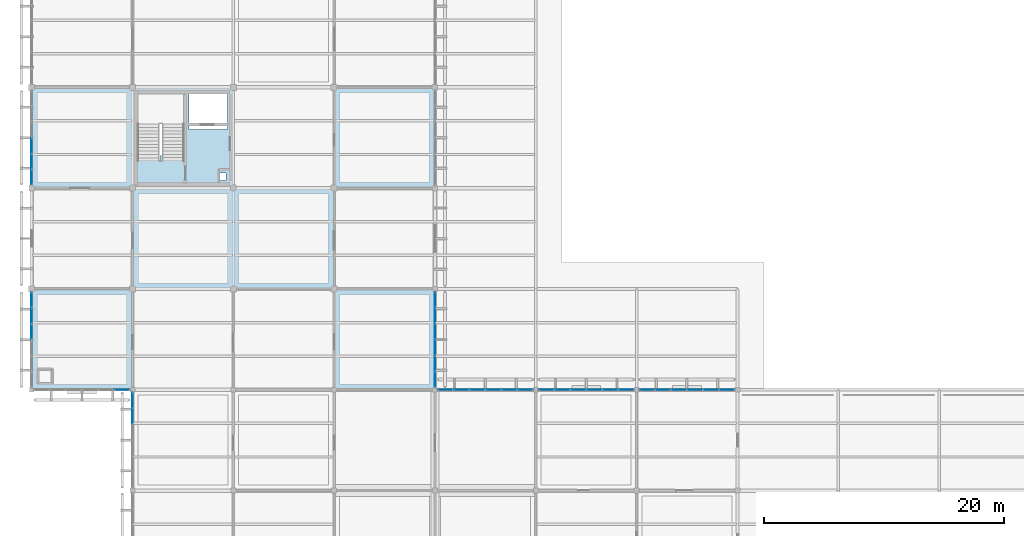
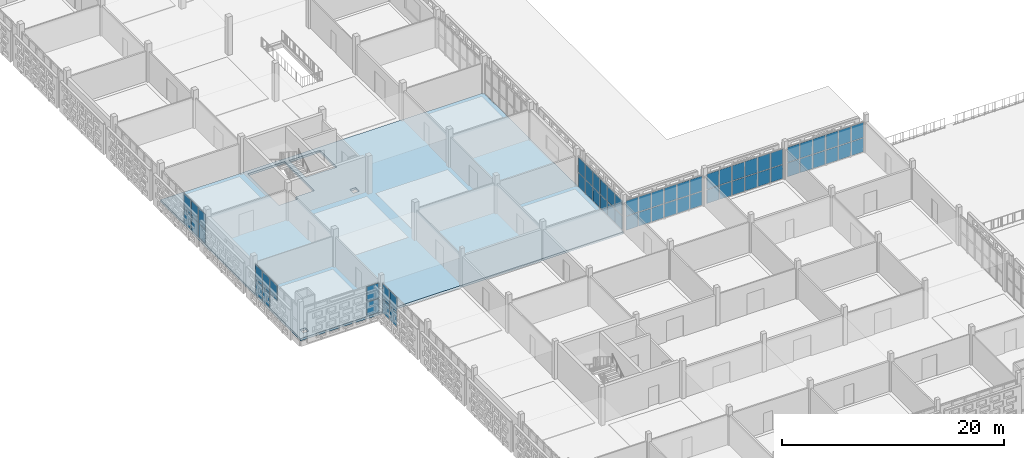
# One storey, part 78 of 166: 65 plates, 1 slab, 8 elements without a shape of their own.
"""IFC4 building model written with IfcOpenShell, lengths in metres."""

from ifc_helpers import new_model, si_unit, direction, frame, origin, origin_2d, place, context, subcontext, project, spatial, polyline, rectangle, outline, extrude, material, layer, layer_set, type_object, element, aggregate, save


model = new_model("IFC4")

# Units and contexts
model_context = context("Model", 3, precision=1e-05, world=origin(), true_north=direction((0.0, 1.0)))
body_context = subcontext(model_context, "Body", "Model", "MODEL_VIEW")
ifc_project = project(units=[si_unit("LENGTHUNIT", "METRE"), si_unit("AREAUNIT", "SQUARE_METRE"), si_unit("VOLUMEUNIT", "CUBIC_METRE"), si_unit("PLANEANGLEUNIT", "RADIAN"), si_unit("MASSUNIT", "GRAM", prefix="KILO")], contexts=[model_context])

# Site, building, storey
site_placement = place(None, origin())
site = spatial("IfcSite", under=ifc_project, at=site_placement, CompositionType="ELEMENT")
building_placement = place(site_placement, origin())
building = spatial("IfcBuilding", under=site, at=building_placement, Name="Varnapada Polytechnic", CompositionType="ELEMENT")
storey_placement = place(building_placement, frame((0.0, 0.0, 9.60009765625)))
storey = spatial("IfcBuildingStorey", under=building, at=storey_placement, Name="L02", CompositionType="ELEMENT", Elevation=9.60009765625)

# Curtain wall, plates
ifc_material_1 = material(Name="Double low-E laminated glass", Category="glass")
ifc_layer_1 = layer(ifc_material_1, 0.159912109375)
ifc_layer_set_1 = layer_set([ifc_layer_1], Name="Double low-E laminated glass")
curtain_wall_type_1 = type_object("IfcCurtainWallType", Name="Curtain Wall CW-01", PredefinedType="NOTDEFINED", material=ifc_layer_set_1)
curtain_wall_1_placement = place(storey_placement, origin())
curtain_wall_1 = element("IfcCurtainWall", 1, at=curtain_wall_1_placement, inside=storey, type_object=curtain_wall_type_1, Name="L02 unitised curtain wall CW-01 (154)", PredefinedType="NOTDEFINED")
ifc_layer_2 = layer(ifc_material_1, 0.028076171875)
ifc_layer_set_2 = layer_set([ifc_layer_2], Name="Double low-E laminated glass")
plate_type_1 = type_object("IfcPlateType", Name="Curtain Panel PNL-01", PredefinedType="CURTAIN_PANEL", material=ifc_layer_set_2)
plate_1_placement = place(storey_placement, frame((42.882568359375, 42.0, 0.06005859375), z_axis=(0.0, 0.0, 1.0), x_axis=(1.0, 0.0, 0.0)))
plate_1 = element("IfcPlate", 2, at=plate_1_placement, type_object=plate_type_1, Name="CW-01 panel 1.1", PredefinedType="CURTAIN_PANEL", context=body_context, shape_type="SweptSolid", body=[
    extrude(rectangle(XDim=1.2451171875, YDim=0.028076171875, at=origin_2d()), origin(), (0.0, 0.0, 1.0), 1.522705078125),
])
plate_2_placement = place(storey_placement, frame((42.882568359375, 42.0, 1.642578125), z_axis=(0.0, 0.0, 1.0), x_axis=(1.0, 0.0, 0.0)))
plate_2 = element("IfcPlate", 3, at=plate_2_placement, type_object=plate_type_1, Name="CW-01 panel 1.2", PredefinedType="CURTAIN_PANEL", context=body_context, shape_type="SweptSolid", body=[
    extrude(rectangle(XDim=1.2451171875, YDim=0.028076171875, at=origin_2d()), origin(), (0.0, 0.0, 1.0), 1.6572265625),
])
plate_3_placement = place(storey_placement, frame((44.202392578125, 42.0, 0.06005859375), z_axis=(0.0, 0.0, 1.0), x_axis=(1.0, 0.0, 0.0)))
plate_3 = element("IfcPlate", 4, at=plate_3_placement, type_object=plate_type_1, Name="CW-01 panel 2.1", PredefinedType="CURTAIN_PANEL", context=body_context, shape_type="SweptSolid", body=[
    extrude(rectangle(XDim=1.27490234375, YDim=0.028076171875, at=origin_2d()), origin(), (0.0, 0.0, 1.0), 1.522705078125),
])
plate_4_placement = place(storey_placement, frame((44.202392578125, 42.0, 1.642578125), z_axis=(0.0, 0.0, 1.0), x_axis=(1.0, 0.0, 0.0)))
plate_4 = element("IfcPlate", 5, at=plate_4_placement, type_object=plate_type_1, Name="CW-01 panel 2.2", PredefinedType="CURTAIN_PANEL", context=body_context, shape_type="SweptSolid", body=[
    extrude(rectangle(XDim=1.27490234375, YDim=0.028076171875, at=origin_2d()), origin(), (0.0, 0.0, 1.0), 1.6572265625),
])
plate_5_placement = place(storey_placement, frame((45.53759765625, 42.0, 0.06005859375), z_axis=(0.0, 0.0, 1.0), x_axis=(1.0, 0.0, 0.0)))
plate_5 = element("IfcPlate", 6, at=plate_5_placement, type_object=plate_type_1, Name="CW-01 panel 3.1", PredefinedType="CURTAIN_PANEL", context=body_context, shape_type="SweptSolid", body=[
    extrude(rectangle(XDim=1.27490234375, YDim=0.028076171875, at=origin_2d()), origin(), (0.0, 0.0, 1.0), 1.522705078125),
])
plate_6_placement = place(storey_placement, frame((45.53759765625, 42.0, 1.642578125), z_axis=(0.0, 0.0, 1.0), x_axis=(1.0, 0.0, 0.0)))
plate_6 = element("IfcPlate", 7, at=plate_6_placement, type_object=plate_type_1, Name="CW-01 panel 3.2", PredefinedType="CURTAIN_PANEL", context=body_context, shape_type="SweptSolid", body=[
    extrude(rectangle(XDim=1.27490234375, YDim=0.028076171875, at=origin_2d()), origin(), (0.0, 0.0, 1.0), 1.6572265625),
])
plate_7_placement = place(storey_placement, frame((46.87255859375, 42.0, 0.06005859375), z_axis=(0.0, 0.0, 1.0), x_axis=(1.0, 0.0, 0.0)))
plate_7 = element("IfcPlate", 8, at=plate_7_placement, type_object=plate_type_1, Name="CW-01 panel 4.1", PredefinedType="CURTAIN_PANEL", context=body_context, shape_type="SweptSolid", body=[
    extrude(rectangle(XDim=1.27490234375, YDim=0.028076171875, at=origin_2d()), origin(), (0.0, 0.0, 1.0), 1.522705078125),
])
plate_8_placement = place(storey_placement, frame((46.87255859375, 42.0, 1.642578125), z_axis=(0.0, 0.0, 1.0), x_axis=(1.0, 0.0, 0.0)))
plate_8 = element("IfcPlate", 9, at=plate_8_placement, type_object=plate_type_1, Name="CW-01 panel 4.2", PredefinedType="CURTAIN_PANEL", context=body_context, shape_type="SweptSolid", body=[
    extrude(rectangle(XDim=1.27490234375, YDim=0.028076171875, at=origin_2d()), origin(), (0.0, 0.0, 1.0), 1.6572265625),
])
plate_9_placement = place(storey_placement, frame((48.20751953125, 42.0, 0.06005859375), z_axis=(0.0, 0.0, 1.0), x_axis=(1.0, 0.0, 0.0)))
plate_9 = element("IfcPlate", 10, at=plate_9_placement, type_object=plate_type_1, Name="CW-01 panel 5.1", PredefinedType="CURTAIN_PANEL", context=body_context, shape_type="SweptSolid", body=[
    extrude(rectangle(XDim=1.27490234375, YDim=0.028076171875, at=origin_2d()), origin(), (0.0, 0.0, 1.0), 1.522705078125),
])
plate_10_placement = place(storey_placement, frame((48.20751953125, 42.0, 1.642578125), z_axis=(0.0, 0.0, 1.0), x_axis=(1.0, 0.0, 0.0)))
plate_10 = element("IfcPlate", 11, at=plate_10_placement, type_object=plate_type_1, Name="CW-01 panel 5.2", PredefinedType="CURTAIN_PANEL", context=body_context, shape_type="SweptSolid", body=[
    extrude(rectangle(XDim=1.27490234375, YDim=0.028076171875, at=origin_2d()), origin(), (0.0, 0.0, 1.0), 1.6572265625),
])
plate_11_placement = place(storey_placement, frame((49.527587890625, 42.0, 0.06005859375), z_axis=(0.0, 0.0, 1.0), x_axis=(1.0, 0.0, 0.0)))
plate_11 = element("IfcPlate", 12, at=plate_11_placement, type_object=plate_type_1, Name="CW-01 panel 6.1", PredefinedType="CURTAIN_PANEL", context=body_context, shape_type="SweptSolid", body=[
    extrude(rectangle(XDim=1.2451171875, YDim=0.028076171875, at=origin_2d()), origin(), (0.0, 0.0, 1.0), 1.522705078125),
])
plate_12_placement = place(storey_placement, frame((49.527587890625, 42.0, 1.642578125), z_axis=(0.0, 0.0, 1.0), x_axis=(1.0, 0.0, 0.0)))
plate_12 = element("IfcPlate", 13, at=plate_12_placement, type_object=plate_type_1, Name="CW-01 panel 6.2", PredefinedType="CURTAIN_PANEL", context=body_context, shape_type="SweptSolid", body=[
    extrude(rectangle(XDim=1.2451171875, YDim=0.028076171875, at=origin_2d()), origin(), (0.0, 0.0, 1.0), 1.6572265625),
])
aggregate(curtain_wall_1, [plate_1, plate_2, plate_3, plate_4, plate_5, plate_6, plate_7, plate_8, plate_9, plate_10, plate_11, plate_12])

curtain_wall_2_placement = place(storey_placement, origin())
curtain_wall_2 = element("IfcCurtainWall", 14, at=curtain_wall_2_placement, inside=storey, type_object=curtain_wall_type_1, Name="L02 unitised curtain wall CW-01 (157)", PredefinedType="NOTDEFINED")
plate_13_placement = place(storey_placement, frame((51.2724609375, 42.0, 0.06005859375), z_axis=(0.0, 0.0, 1.0), x_axis=(1.0, 0.0, 0.0)))
plate_13 = element("IfcPlate", 15, at=plate_13_placement, type_object=plate_type_1, Name="CW-01 panel 1.1", PredefinedType="CURTAIN_PANEL", context=body_context, shape_type="SweptSolid", body=[
    extrude(rectangle(XDim=1.2451171875, YDim=0.028076171875, at=origin_2d()), origin(), (0.0, 0.0, 1.0), 1.522705078125),
])
plate_14_placement = place(storey_placement, frame((51.2724609375, 42.0, 1.642578125), z_axis=(0.0, 0.0, 1.0), x_axis=(1.0, 0.0, 0.0)))
plate_14 = element("IfcPlate", 16, at=plate_14_placement, type_object=plate_type_1, Name="CW-01 panel 1.2", PredefinedType="CURTAIN_PANEL", context=body_context, shape_type="SweptSolid", body=[
    extrude(rectangle(XDim=1.2451171875, YDim=0.028076171875, at=origin_2d()), origin(), (0.0, 0.0, 1.0), 1.6572265625),
])
plate_15_placement = place(storey_placement, frame((52.592529296875, 42.0, 0.06005859375), z_axis=(0.0, 0.0, 1.0), x_axis=(1.0, 0.0, 0.0)))
plate_15 = element("IfcPlate", 17, at=plate_15_placement, type_object=plate_type_1, Name="CW-01 panel 2.1", PredefinedType="CURTAIN_PANEL", context=body_context, shape_type="SweptSolid", body=[
    extrude(rectangle(XDim=1.27490234375, YDim=0.028076171875, at=origin_2d()), origin(), (0.0, 0.0, 1.0), 1.522705078125),
])
plate_16_placement = place(storey_placement, frame((52.592529296875, 42.0, 1.642578125), z_axis=(0.0, 0.0, 1.0), x_axis=(1.0, 0.0, 0.0)))
plate_16 = element("IfcPlate", 18, at=plate_16_placement, type_object=plate_type_1, Name="CW-01 panel 2.2", PredefinedType="CURTAIN_PANEL", context=body_context, shape_type="SweptSolid", body=[
    extrude(rectangle(XDim=1.27490234375, YDim=0.028076171875, at=origin_2d()), origin(), (0.0, 0.0, 1.0), 1.6572265625),
])
plate_17_placement = place(storey_placement, frame((53.927490234375, 42.0, 0.06005859375), z_axis=(0.0, 0.0, 1.0), x_axis=(1.0, 0.0, 0.0)))
plate_17 = element("IfcPlate", 19, at=plate_17_placement, type_object=plate_type_1, Name="CW-01 panel 3.1", PredefinedType="CURTAIN_PANEL", context=body_context, shape_type="SweptSolid", body=[
    extrude(rectangle(XDim=1.27490234375, YDim=0.028076171875, at=origin_2d()), origin(), (0.0, 0.0, 1.0), 1.522705078125),
])
plate_18_placement = place(storey_placement, frame((53.927490234375, 42.0, 1.642578125), z_axis=(0.0, 0.0, 1.0), x_axis=(1.0, 0.0, 0.0)))
plate_18 = element("IfcPlate", 20, at=plate_18_placement, type_object=plate_type_1, Name="CW-01 panel 3.2", PredefinedType="CURTAIN_PANEL", context=body_context, shape_type="SweptSolid", body=[
    extrude(rectangle(XDim=1.27490234375, YDim=0.028076171875, at=origin_2d()), origin(), (0.0, 0.0, 1.0), 1.6572265625),
])
plate_19_placement = place(storey_placement, frame((55.262451171875, 42.0, 0.06005859375), z_axis=(0.0, 0.0, 1.0), x_axis=(1.0, 0.0, 0.0)))
plate_19 = element("IfcPlate", 21, at=plate_19_placement, type_object=plate_type_1, Name="CW-01 panel 4.1", PredefinedType="CURTAIN_PANEL", context=body_context, shape_type="SweptSolid", body=[
    extrude(rectangle(XDim=1.27490234375, YDim=0.028076171875, at=origin_2d()), origin(), (0.0, 0.0, 1.0), 1.522705078125),
])
plate_20_placement = place(storey_placement, frame((55.262451171875, 42.0, 1.642578125), z_axis=(0.0, 0.0, 1.0), x_axis=(1.0, 0.0, 0.0)))
plate_20 = element("IfcPlate", 22, at=plate_20_placement, type_object=plate_type_1, Name="CW-01 panel 4.2", PredefinedType="CURTAIN_PANEL", context=body_context, shape_type="SweptSolid", body=[
    extrude(rectangle(XDim=1.27490234375, YDim=0.028076171875, at=origin_2d()), origin(), (0.0, 0.0, 1.0), 1.6572265625),
])
plate_21_placement = place(storey_placement, frame((56.597412109375, 42.0, 0.06005859375), z_axis=(0.0, 0.0, 1.0), x_axis=(1.0, 0.0, 0.0)))
plate_21 = element("IfcPlate", 23, at=plate_21_placement, type_object=plate_type_1, Name="CW-01 panel 5.1", PredefinedType="CURTAIN_PANEL", context=body_context, shape_type="SweptSolid", body=[
    extrude(rectangle(XDim=1.27490234375, YDim=0.028076171875, at=origin_2d()), origin(), (0.0, 0.0, 1.0), 1.522705078125),
])
plate_22_placement = place(storey_placement, frame((56.597412109375, 42.0, 1.642578125), z_axis=(0.0, 0.0, 1.0), x_axis=(1.0, 0.0, 0.0)))
plate_22 = element("IfcPlate", 24, at=plate_22_placement, type_object=plate_type_1, Name="CW-01 panel 5.2", PredefinedType="CURTAIN_PANEL", context=body_context, shape_type="SweptSolid", body=[
    extrude(rectangle(XDim=1.27490234375, YDim=0.028076171875, at=origin_2d()), origin(), (0.0, 0.0, 1.0), 1.6572265625),
])
plate_23_placement = place(storey_placement, frame((57.91748046875, 42.0, 0.06005859375), z_axis=(0.0, 0.0, 1.0), x_axis=(1.0, 0.0, 0.0)))
plate_23 = element("IfcPlate", 25, at=plate_23_placement, type_object=plate_type_1, Name="CW-01 panel 6.1", PredefinedType="CURTAIN_PANEL", context=body_context, shape_type="SweptSolid", body=[
    extrude(rectangle(XDim=1.2451171875, YDim=0.028076171875, at=origin_2d()), origin(), (0.0, 0.0, 1.0), 1.522705078125),
])
plate_24_placement = place(storey_placement, frame((57.91748046875, 42.0, 1.642578125), z_axis=(0.0, 0.0, 1.0), x_axis=(1.0, 0.0, 0.0)))
plate_24 = element("IfcPlate", 26, at=plate_24_placement, type_object=plate_type_1, Name="CW-01 panel 6.2", PredefinedType="CURTAIN_PANEL", context=body_context, shape_type="SweptSolid", body=[
    extrude(rectangle(XDim=1.2451171875, YDim=0.028076171875, at=origin_2d()), origin(), (0.0, 0.0, 1.0), 1.6572265625),
])
aggregate(curtain_wall_2, [plate_13, plate_14, plate_15, plate_16, plate_17, plate_18, plate_19, plate_20, plate_21, plate_22, plate_23, plate_24])

ifc_layer_3 = layer(ifc_material_1, 0.179931640625)
ifc_layer_set_3 = layer_set([ifc_layer_3], Name="Double low-E laminated glass")
curtain_wall_type_2 = type_object("IfcCurtainWallType", Name="Curtain Wall CW-03", PredefinedType="NOTDEFINED", material=ifc_layer_set_3)
curtain_wall_3_placement = place(storey_placement, origin())
curtain_wall_3 = element("IfcCurtainWall", 27, at=curtain_wall_3_placement, inside=storey, type_object=curtain_wall_type_2, Name="L02 unitised curtain wall CW-03 (128)", PredefinedType="NOTDEFINED")
ifc_layer_4 = layer(ifc_material_1, 0.031982421875)
ifc_layer_set_4 = layer_set([ifc_layer_4], Name="Double low-E laminated glass")
plate_type_2 = type_object("IfcPlateType", Name="Curtain Panel PNL-02", PredefinedType="CURTAIN_PANEL", material=ifc_layer_set_4)
plate_25_placement = place(storey_placement, frame((7.516357421875, 42.0, 0.06494140625), z_axis=(0.0, 0.0, 1.0), x_axis=(-1.0, 0.0, 0.0)))
plate_25 = element("IfcPlate", 28, at=plate_25_placement, type_object=plate_type_2, Name="CW-03 panel 1.1", PredefinedType="CURTAIN_PANEL", context=body_context, shape_type="SweptSolid", body=[
    extrude(rectangle(XDim=1.237548828125, YDim=0.031982421875, at=origin_2d()), origin(), (0.0, 0.0, 1.0), 1.515380859375),
])
plate_26_placement = place(storey_placement, frame((7.516357421875, 42.0, 1.64501953125), z_axis=(0.0, 0.0, 1.0), x_axis=(-1.0, 0.0, 0.0)))
plate_26 = element("IfcPlate", 29, at=plate_26_placement, type_object=plate_type_2, Name="CW-03 panel 1.2", PredefinedType="CURTAIN_PANEL", context=body_context, shape_type="SweptSolid", body=[
    extrude(rectangle(XDim=1.237548828125, YDim=0.031982421875, at=origin_2d()), origin(), (0.0, 0.0, 1.0), 1.649658203125),
])
aggregate(curtain_wall_3, [plate_25, plate_26])

curtain_wall_4_placement = place(storey_placement, origin())
curtain_wall_4 = element("IfcCurtainWall", 30, at=curtain_wall_4_placement, inside=storey, type_object=curtain_wall_type_2, Name="L02 unitised curtain wall CW-03 (129)", PredefinedType="NOTDEFINED")
plate_27_placement = place(storey_placement, frame((0.0, 46.833251953125, 1.64501953125), z_axis=(0.0, 0.0, 1.0), x_axis=(0.0, 1.0, 0.0)))
plate_27 = element("IfcPlate", 31, at=plate_27_placement, type_object=plate_type_2, Name="CW-03 panel 4.2", PredefinedType="CURTAIN_PANEL", context=body_context, shape_type="SweptSolid", body=[
    extrude(rectangle(XDim=1.26171875, YDim=0.031982421875, at=origin_2d()), origin(), (0.0, 0.0, 1.0), 1.649658203125),
])
plate_28_placement = place(storey_placement, frame((0.0, 48.159912109375, 0.06494140625), z_axis=(0.0, 0.0, 1.0), x_axis=(0.0, 1.0, 0.0)))
plate_28 = element("IfcPlate", 32, at=plate_28_placement, type_object=plate_type_2, Name="CW-03 panel 5.1", PredefinedType="CURTAIN_PANEL", context=body_context, shape_type="SweptSolid", body=[
    extrude(rectangle(XDim=1.26171875, YDim=0.031982421875, at=origin_2d()), origin(), (0.0, 0.0, 1.0), 1.515380859375),
])
plate_29_placement = place(storey_placement, frame((0.0, 48.159912109375, 1.64501953125), z_axis=(0.0, 0.0, 1.0), x_axis=(0.0, 1.0, 0.0)))
plate_29 = element("IfcPlate", 33, at=plate_29_placement, type_object=plate_type_2, Name="CW-03 panel 5.2", PredefinedType="CURTAIN_PANEL", context=body_context, shape_type="SweptSolid", body=[
    extrude(rectangle(XDim=1.26171875, YDim=0.031982421875, at=origin_2d()), origin(), (0.0, 0.0, 1.0), 1.649658203125),
])
plate_30_placement = place(storey_placement, frame((0.0, 49.470458984375, 0.06494140625), z_axis=(0.0, 0.0, 1.0), x_axis=(0.0, 1.0, 0.0)))
plate_30 = element("IfcPlate", 34, at=plate_30_placement, type_object=plate_type_2, Name="CW-03 panel 6.1", PredefinedType="CURTAIN_PANEL", context=body_context, shape_type="SweptSolid", body=[
    extrude(rectangle(XDim=1.229248046875, YDim=0.031982421875, at=origin_2d()), origin(), (0.0, 0.0, 1.0), 1.515380859375),
])
plate_31_placement = place(storey_placement, frame((0.0, 49.470458984375, 1.64501953125), z_axis=(0.0, 0.0, 1.0), x_axis=(0.0, 1.0, 0.0)))
plate_31 = element("IfcPlate", 35, at=plate_31_placement, type_object=plate_type_2, Name="CW-03 panel 6.2", PredefinedType="CURTAIN_PANEL", context=body_context, shape_type="SweptSolid", body=[
    extrude(rectangle(XDim=1.229248046875, YDim=0.031982421875, at=origin_2d()), origin(), (0.0, 0.0, 1.0), 1.649658203125),
])
aggregate(curtain_wall_4, [plate_27, plate_28, plate_29, plate_30, plate_31])

curtain_wall_5_placement = place(storey_placement, origin())
curtain_wall_5 = element("IfcCurtainWall", 36, at=curtain_wall_5_placement, inside=storey, type_object=curtain_wall_type_2, Name="L02 unitised curtain wall CW-03 (130)", PredefinedType="NOTDEFINED")
plate_32_placement = place(storey_placement, frame((0.0, 59.71533203125, 0.06494140625), z_axis=(0.0, 0.0, 1.0), x_axis=(0.0, 1.0, 0.0)))
plate_32 = element("IfcPlate", 37, at=plate_32_placement, type_object=plate_type_2, Name="CW-03 panel 1.1", PredefinedType="CURTAIN_PANEL", context=body_context, shape_type="SweptSolid", body=[
    extrude(rectangle(XDim=1.220947265625, YDim=0.031982421875, at=origin_2d()), origin(), (0.0, 0.0, 1.0), 1.515380859375),
])
plate_33_placement = place(storey_placement, frame((0.0, 59.71533203125, 1.64501953125), z_axis=(0.0, 0.0, 1.0), x_axis=(0.0, 1.0, 0.0)))
plate_33 = element("IfcPlate", 38, at=plate_33_placement, type_object=plate_type_2, Name="CW-03 panel 1.2", PredefinedType="CURTAIN_PANEL", context=body_context, shape_type="SweptSolid", body=[
    extrude(rectangle(XDim=1.220947265625, YDim=0.031982421875, at=origin_2d()), origin(), (0.0, 0.0, 1.0), 1.649658203125),
])
plate_34_placement = place(storey_placement, frame((0.0, 61.017578125, 0.06494140625), z_axis=(0.0, 0.0, 1.0), x_axis=(0.0, 1.0, 0.0)))
plate_34 = element("IfcPlate", 39, at=plate_34_placement, type_object=plate_type_2, Name="CW-03 panel 2.1", PredefinedType="CURTAIN_PANEL", context=body_context, shape_type="SweptSolid", body=[
    extrude(rectangle(XDim=1.25341796875, YDim=0.031982421875, at=origin_2d()), origin(), (0.0, 0.0, 1.0), 1.515380859375),
])
plate_35_placement = place(storey_placement, frame((0.0, 61.017578125, 1.64501953125), z_axis=(0.0, 0.0, 1.0), x_axis=(0.0, 1.0, 0.0)))
plate_35 = element("IfcPlate", 40, at=plate_35_placement, type_object=plate_type_2, Name="CW-03 panel 2.2", PredefinedType="CURTAIN_PANEL", context=body_context, shape_type="SweptSolid", body=[
    extrude(rectangle(XDim=1.25341796875, YDim=0.031982421875, at=origin_2d()), origin(), (0.0, 0.0, 1.0), 1.649658203125),
])
plate_36_placement = place(storey_placement, frame((0.0, 62.3359375, 0.06494140625), z_axis=(0.0, 0.0, 1.0), x_axis=(0.0, 1.0, 0.0)))
plate_36 = element("IfcPlate", 41, at=plate_36_placement, type_object=plate_type_2, Name="CW-03 panel 3.1", PredefinedType="CURTAIN_PANEL", context=body_context, shape_type="SweptSolid", body=[
    extrude(rectangle(XDim=1.25341796875, YDim=0.031982421875, at=origin_2d()), origin(), (0.0, 0.0, 1.0), 1.515380859375),
])
plate_37_placement = place(storey_placement, frame((0.0, 62.3359375, 1.64501953125), z_axis=(0.0, 0.0, 1.0), x_axis=(0.0, 1.0, 0.0)))
plate_37 = element("IfcPlate", 42, at=plate_37_placement, type_object=plate_type_2, Name="CW-03 panel 3.2", PredefinedType="CURTAIN_PANEL", context=body_context, shape_type="SweptSolid", body=[
    extrude(rectangle(XDim=1.25341796875, YDim=0.031982421875, at=origin_2d()), origin(), (0.0, 0.0, 1.0), 1.649658203125),
])
aggregate(curtain_wall_5, [plate_32, plate_33, plate_34, plate_35, plate_36, plate_37])

curtain_wall_6_placement = place(storey_placement, origin())
curtain_wall_6 = element("IfcCurtainWall", 43, at=curtain_wall_6_placement, inside=storey, type_object=curtain_wall_type_2, Name="L02 unitised curtain wall CW-03 (140)", PredefinedType="NOTDEFINED")
plate_38_placement = place(storey_placement, frame((8.39990234375, 39.802490234375, 0.06494140625), z_axis=(0.0, 0.0, 1.0), x_axis=(0.0, 1.0, 0.0)))
plate_38 = element("IfcPlate", 44, at=plate_38_placement, type_object=plate_type_2, Name="CW-03 panel 5.1", PredefinedType="CURTAIN_PANEL", context=body_context, shape_type="SweptSolid", body=[
    extrude(rectangle(XDim=1.2666015625, YDim=0.031982421875, at=origin_2d()), origin(), (0.0, 0.0, 1.0), 1.515380859375),
])
plate_39_placement = place(storey_placement, frame((8.39990234375, 39.802490234375, 1.64501953125), z_axis=(0.0, 0.0, 1.0), x_axis=(0.0, 1.0, 0.0)))
plate_39 = element("IfcPlate", 45, at=plate_39_placement, type_object=plate_type_2, Name="CW-03 panel 5.2", PredefinedType="CURTAIN_PANEL", context=body_context, shape_type="SweptSolid", body=[
    extrude(rectangle(XDim=1.2666015625, YDim=0.031982421875, at=origin_2d()), origin(), (0.0, 0.0, 1.0), 1.649658203125),
])
plate_40_placement = place(storey_placement, frame((8.39990234375, 41.117919921875, 0.06494140625), z_axis=(0.0, 0.0, 1.0), x_axis=(0.0, 1.0, 0.0)))
plate_40 = element("IfcPlate", 46, at=plate_40_placement, type_object=plate_type_2, Name="CW-03 panel 6.1", PredefinedType="CURTAIN_PANEL", context=body_context, shape_type="SweptSolid", body=[
    extrude(rectangle(XDim=1.234130859375, YDim=0.031982421875, at=origin_2d()), origin(), (0.0, 0.0, 1.0), 1.515380859375),
])
plate_41_placement = place(storey_placement, frame((8.39990234375, 41.117919921875, 1.64501953125), z_axis=(0.0, 0.0, 1.0), x_axis=(0.0, 1.0, 0.0)))
plate_41 = element("IfcPlate", 47, at=plate_41_placement, type_object=plate_type_2, Name="CW-03 panel 6.2", PredefinedType="CURTAIN_PANEL", context=body_context, shape_type="SweptSolid", body=[
    extrude(rectangle(XDim=1.234130859375, YDim=0.031982421875, at=origin_2d()), origin(), (0.0, 0.0, 1.0), 1.649658203125),
])
aggregate(curtain_wall_6, [plate_38, plate_39, plate_40, plate_41])

curtain_wall_7_placement = place(storey_placement, origin())
curtain_wall_7 = element("IfcCurtainWall", 48, at=curtain_wall_7_placement, inside=storey, type_object=curtain_wall_type_2, Name="L02 unitised curtain wall CW-03 (143)", PredefinedType="NOTDEFINED")
plate_42_placement = place(storey_placement, frame((33.60009765625, 49.507080078125, 0.06494140625), z_axis=(0.0, 0.0, 1.0), x_axis=(0.0, -1.0, 0.0)))
plate_42 = element("IfcPlate", 49, at=plate_42_placement, type_object=plate_type_2, Name="CW-03 panel 1.1", PredefinedType="CURTAIN_PANEL", context=body_context, shape_type="SweptSolid", body=[
    extrude(rectangle(XDim=1.23583984375, YDim=0.031982421875, at=origin_2d()), origin(), (0.0, 0.0, 1.0), 1.515380859375),
])
plate_43_placement = place(storey_placement, frame((33.60009765625, 49.507080078125, 1.64501953125), z_axis=(0.0, 0.0, 1.0), x_axis=(0.0, -1.0, 0.0)))
plate_43 = element("IfcPlate", 50, at=plate_43_placement, type_object=plate_type_2, Name="CW-03 panel 1.2", PredefinedType="CURTAIN_PANEL", context=body_context, shape_type="SweptSolid", body=[
    extrude(rectangle(XDim=1.23583984375, YDim=0.031982421875, at=origin_2d()), origin(), (0.0, 0.0, 1.0), 1.649658203125),
])
plate_44_placement = place(storey_placement, frame((33.60009765625, 48.18994140625, 0.06494140625), z_axis=(0.0, 0.0, 1.0), x_axis=(0.0, -1.0, 0.0)))
plate_44 = element("IfcPlate", 51, at=plate_44_placement, type_object=plate_type_2, Name="CW-03 panel 2.1", PredefinedType="CURTAIN_PANEL", context=body_context, shape_type="SweptSolid", body=[
    extrude(rectangle(XDim=1.268310546875, YDim=0.031982421875, at=origin_2d()), origin(), (0.0, 0.0, 1.0), 1.515380859375),
])
plate_45_placement = place(storey_placement, frame((33.60009765625, 48.18994140625, 1.64501953125), z_axis=(0.0, 0.0, 1.0), x_axis=(0.0, -1.0, 0.0)))
plate_45 = element("IfcPlate", 52, at=plate_45_placement, type_object=plate_type_2, Name="CW-03 panel 2.2", PredefinedType="CURTAIN_PANEL", context=body_context, shape_type="SweptSolid", body=[
    extrude(rectangle(XDim=1.268310546875, YDim=0.031982421875, at=origin_2d()), origin(), (0.0, 0.0, 1.0), 1.649658203125),
])
plate_46_placement = place(storey_placement, frame((33.60009765625, 46.856689453125, 0.06494140625), z_axis=(0.0, 0.0, 1.0), x_axis=(0.0, -1.0, 0.0)))
plate_46 = element("IfcPlate", 53, at=plate_46_placement, type_object=plate_type_2, Name="CW-03 panel 3.1", PredefinedType="CURTAIN_PANEL", context=body_context, shape_type="SweptSolid", body=[
    extrude(rectangle(XDim=1.268310546875, YDim=0.031982421875, at=origin_2d()), origin(), (0.0, 0.0, 1.0), 1.515380859375),
])
plate_47_placement = place(storey_placement, frame((33.60009765625, 46.856689453125, 1.64501953125), z_axis=(0.0, 0.0, 1.0), x_axis=(0.0, -1.0, 0.0)))
plate_47 = element("IfcPlate", 54, at=plate_47_placement, type_object=plate_type_2, Name="CW-03 panel 3.2", PredefinedType="CURTAIN_PANEL", context=body_context, shape_type="SweptSolid", body=[
    extrude(rectangle(XDim=1.268310546875, YDim=0.031982421875, at=origin_2d()), origin(), (0.0, 0.0, 1.0), 1.649658203125),
])
plate_48_placement = place(storey_placement, frame((33.60009765625, 45.5234375, 0.06494140625), z_axis=(0.0, 0.0, 1.0), x_axis=(0.0, -1.0, 0.0)))
plate_48 = element("IfcPlate", 55, at=plate_48_placement, type_object=plate_type_2, Name="CW-03 panel 4.1", PredefinedType="CURTAIN_PANEL", context=body_context, shape_type="SweptSolid", body=[
    extrude(rectangle(XDim=1.268310546875, YDim=0.031982421875, at=origin_2d()), origin(), (0.0, 0.0, 1.0), 1.515380859375),
])
plate_49_placement = place(storey_placement, frame((33.60009765625, 45.5234375, 1.64501953125), z_axis=(0.0, 0.0, 1.0), x_axis=(0.0, -1.0, 0.0)))
plate_49 = element("IfcPlate", 56, at=plate_49_placement, type_object=plate_type_2, Name="CW-03 panel 4.2", PredefinedType="CURTAIN_PANEL", context=body_context, shape_type="SweptSolid", body=[
    extrude(rectangle(XDim=1.268310546875, YDim=0.031982421875, at=origin_2d()), origin(), (0.0, 0.0, 1.0), 1.649658203125),
])
plate_50_placement = place(storey_placement, frame((33.60009765625, 44.18994140625, 0.06494140625), z_axis=(0.0, 0.0, 1.0), x_axis=(0.0, -1.0, 0.0)))
plate_50 = element("IfcPlate", 57, at=plate_50_placement, type_object=plate_type_2, Name="CW-03 panel 5.1", PredefinedType="CURTAIN_PANEL", context=body_context, shape_type="SweptSolid", body=[
    extrude(rectangle(XDim=1.268310546875, YDim=0.031982421875, at=origin_2d()), origin(), (0.0, 0.0, 1.0), 1.515380859375),
])
plate_51_placement = place(storey_placement, frame((33.60009765625, 44.18994140625, 1.64501953125), z_axis=(0.0, 0.0, 1.0), x_axis=(0.0, -1.0, 0.0)))
plate_51 = element("IfcPlate", 58, at=plate_51_placement, type_object=plate_type_2, Name="CW-03 panel 5.2", PredefinedType="CURTAIN_PANEL", context=body_context, shape_type="SweptSolid", body=[
    extrude(rectangle(XDim=1.268310546875, YDim=0.031982421875, at=origin_2d()), origin(), (0.0, 0.0, 1.0), 1.649658203125),
])
plate_52_placement = place(storey_placement, frame((33.60009765625, 42.872802734375, 0.06494140625), z_axis=(0.0, 0.0, 1.0), x_axis=(0.0, -1.0, 0.0)))
plate_52 = element("IfcPlate", 59, at=plate_52_placement, type_object=plate_type_2, Name="CW-03 panel 6.1", PredefinedType="CURTAIN_PANEL", context=body_context, shape_type="SweptSolid", body=[
    extrude(rectangle(XDim=1.23583984375, YDim=0.031982421875, at=origin_2d()), origin(), (0.0, 0.0, 1.0), 1.515380859375),
])
plate_53_placement = place(storey_placement, frame((33.60009765625, 42.872802734375, 1.64501953125), z_axis=(0.0, 0.0, 1.0), x_axis=(0.0, -1.0, 0.0)))
plate_53 = element("IfcPlate", 60, at=plate_53_placement, type_object=plate_type_2, Name="CW-03 panel 6.2", PredefinedType="CURTAIN_PANEL", context=body_context, shape_type="SweptSolid", body=[
    extrude(rectangle(XDim=1.23583984375, YDim=0.031982421875, at=origin_2d()), origin(), (0.0, 0.0, 1.0), 1.649658203125),
])
aggregate(curtain_wall_7, [plate_42, plate_43, plate_44, plate_45, plate_46, plate_47, plate_48, plate_49, plate_50, plate_51, plate_52, plate_53])

curtain_wall_8_placement = place(storey_placement, origin())
curtain_wall_8 = element("IfcCurtainWall", 61, at=curtain_wall_8_placement, inside=storey, type_object=curtain_wall_type_2, Name="L02 unitised curtain wall CW-03 (152)", PredefinedType="NOTDEFINED")
plate_54_placement = place(storey_placement, frame((34.4736328125, 42.0, 0.06494140625), z_axis=(0.0, 0.0, 1.0), x_axis=(1.0, 0.0, 0.0)))
plate_54 = element("IfcPlate", 62, at=plate_54_placement, type_object=plate_type_2, Name="CW-03 panel 1.1", PredefinedType="CURTAIN_PANEL", context=body_context, shape_type="SweptSolid", body=[
    extrude(rectangle(XDim=1.237548828125, YDim=0.031982421875, at=origin_2d()), origin(), (0.0, 0.0, 1.0), 1.515380859375),
])
plate_55_placement = place(storey_placement, frame((34.4736328125, 42.0, 1.64501953125), z_axis=(0.0, 0.0, 1.0), x_axis=(1.0, 0.0, 0.0)))
plate_55 = element("IfcPlate", 63, at=plate_55_placement, type_object=plate_type_2, Name="CW-03 panel 1.2", PredefinedType="CURTAIN_PANEL", context=body_context, shape_type="SweptSolid", body=[
    extrude(rectangle(XDim=1.237548828125, YDim=0.031982421875, at=origin_2d()), origin(), (0.0, 0.0, 1.0), 1.649658203125),
])
plate_56_placement = place(storey_placement, frame((35.79248046875, 42.0, 0.06494140625), z_axis=(0.0, 0.0, 1.0), x_axis=(1.0, 0.0, 0.0)))
plate_56 = element("IfcPlate", 64, at=plate_56_placement, type_object=plate_type_2, Name="CW-03 panel 2.1", PredefinedType="CURTAIN_PANEL", context=body_context, shape_type="SweptSolid", body=[
    extrude(rectangle(XDim=1.27001953125, YDim=0.031982421875, at=origin_2d()), origin(), (0.0, 0.0, 1.0), 1.515380859375),
])
plate_57_placement = place(storey_placement, frame((35.79248046875, 42.0, 1.64501953125), z_axis=(0.0, 0.0, 1.0), x_axis=(1.0, 0.0, 0.0)))
plate_57 = element("IfcPlate", 65, at=plate_57_placement, type_object=plate_type_2, Name="CW-03 panel 2.2", PredefinedType="CURTAIN_PANEL", context=body_context, shape_type="SweptSolid", body=[
    extrude(rectangle(XDim=1.27001953125, YDim=0.031982421875, at=origin_2d()), origin(), (0.0, 0.0, 1.0), 1.649658203125),
])
plate_58_placement = place(storey_placement, frame((37.12744140625, 42.0, 0.06494140625), z_axis=(0.0, 0.0, 1.0), x_axis=(1.0, 0.0, 0.0)))
plate_58 = element("IfcPlate", 66, at=plate_58_placement, type_object=plate_type_2, Name="CW-03 panel 3.1", PredefinedType="CURTAIN_PANEL", context=body_context, shape_type="SweptSolid", body=[
    extrude(rectangle(XDim=1.27001953125, YDim=0.031982421875, at=origin_2d()), origin(), (0.0, 0.0, 1.0), 1.515380859375),
])
plate_59_placement = place(storey_placement, frame((37.12744140625, 42.0, 1.64501953125), z_axis=(0.0, 0.0, 1.0), x_axis=(1.0, 0.0, 0.0)))
plate_59 = element("IfcPlate", 67, at=plate_59_placement, type_object=plate_type_2, Name="CW-03 panel 3.2", PredefinedType="CURTAIN_PANEL", context=body_context, shape_type="SweptSolid", body=[
    extrude(rectangle(XDim=1.27001953125, YDim=0.031982421875, at=origin_2d()), origin(), (0.0, 0.0, 1.0), 1.649658203125),
])
plate_60_placement = place(storey_placement, frame((38.46240234375, 42.0, 0.06494140625), z_axis=(0.0, 0.0, 1.0), x_axis=(1.0, 0.0, 0.0)))
plate_60 = element("IfcPlate", 68, at=plate_60_placement, type_object=plate_type_2, Name="CW-03 panel 4.1", PredefinedType="CURTAIN_PANEL", context=body_context, shape_type="SweptSolid", body=[
    extrude(rectangle(XDim=1.27001953125, YDim=0.031982421875, at=origin_2d()), origin(), (0.0, 0.0, 1.0), 1.515380859375),
])
plate_61_placement = place(storey_placement, frame((38.46240234375, 42.0, 1.64501953125), z_axis=(0.0, 0.0, 1.0), x_axis=(1.0, 0.0, 0.0)))
plate_61 = element("IfcPlate", 69, at=plate_61_placement, type_object=plate_type_2, Name="CW-03 panel 4.2", PredefinedType="CURTAIN_PANEL", context=body_context, shape_type="SweptSolid", body=[
    extrude(rectangle(XDim=1.27001953125, YDim=0.031982421875, at=origin_2d()), origin(), (0.0, 0.0, 1.0), 1.649658203125),
])
plate_62_placement = place(storey_placement, frame((39.797607421875, 42.0, 0.06494140625), z_axis=(0.0, 0.0, 1.0), x_axis=(1.0, 0.0, 0.0)))
plate_62 = element("IfcPlate", 70, at=plate_62_placement, type_object=plate_type_2, Name="CW-03 panel 5.1", PredefinedType="CURTAIN_PANEL", context=body_context, shape_type="SweptSolid", body=[
    extrude(rectangle(XDim=1.27001953125, YDim=0.031982421875, at=origin_2d()), origin(), (0.0, 0.0, 1.0), 1.515380859375),
])
plate_63_placement = place(storey_placement, frame((39.797607421875, 42.0, 1.64501953125), z_axis=(0.0, 0.0, 1.0), x_axis=(1.0, 0.0, 0.0)))
plate_63 = element("IfcPlate", 71, at=plate_63_placement, type_object=plate_type_2, Name="CW-03 panel 5.2", PredefinedType="CURTAIN_PANEL", context=body_context, shape_type="SweptSolid", body=[
    extrude(rectangle(XDim=1.27001953125, YDim=0.031982421875, at=origin_2d()), origin(), (0.0, 0.0, 1.0), 1.649658203125),
])
plate_64_placement = place(storey_placement, frame((41.1162109375, 42.0, 0.06494140625), z_axis=(0.0, 0.0, 1.0), x_axis=(1.0, 0.0, 0.0)))
plate_64 = element("IfcPlate", 72, at=plate_64_placement, type_object=plate_type_2, Name="CW-03 panel 6.1", PredefinedType="CURTAIN_PANEL", context=body_context, shape_type="SweptSolid", body=[
    extrude(rectangle(XDim=1.237548828125, YDim=0.031982421875, at=origin_2d()), origin(), (0.0, 0.0, 1.0), 1.515380859375),
])
plate_65_placement = place(storey_placement, frame((41.1162109375, 42.0, 1.64501953125), z_axis=(0.0, 0.0, 1.0), x_axis=(1.0, 0.0, 0.0)))
plate_65 = element("IfcPlate", 73, at=plate_65_placement, type_object=plate_type_2, Name="CW-03 panel 6.2", PredefinedType="CURTAIN_PANEL", context=body_context, shape_type="SweptSolid", body=[
    extrude(rectangle(XDim=1.237548828125, YDim=0.031982421875, at=origin_2d()), origin(), (0.0, 0.0, 1.0), 1.649658203125),
])
aggregate(curtain_wall_8, [plate_54, plate_55, plate_56, plate_57, plate_58, plate_59, plate_60, plate_61, plate_62, plate_63, plate_64, plate_65])

# Slab
ifc_material_2 = material(Name="Cross-laminated timber CLT C24", Category="wood")
ifc_layer_5 = layer(ifc_material_2, 0.239990234375)
ifc_layer_set_5 = layer_set([ifc_layer_5], Name="Cross-laminated timber CLT C24")
slab_type = type_object("IfcSlabType", Name="L02/L03 laboratory CLT composite slab SL-06", PredefinedType="FLOOR", material=ifc_layer_set_5)
slab_placement = place(storey_placement, frame((0.0, 0.0, -0.239990234375)))
element("IfcSlab", 74, at=slab_placement, inside=storey, type_object=slab_type, Name="L02 V4 slab 1.1", PredefinedType="FLOOR", context=body_context, shape_type="SweptSolid", body=[
    extrude(outline(polyline([(0.0, 58.800048828125), (0.0, 67.199951171875), (8.39990234375, 67.199951171875), (16.800048828125, 67.199951171875), (25.199951171875, 67.199951171875), (33.60009765625, 67.199951171875), (33.60009765625, 58.800048828125), (33.60009765625, 50.39990234375), (33.60009765625, 42.0), (25.199951171875, 42.0), (16.800048828125, 42.0), (8.39990234375, 42.0), (0.0, 42.0), (0.0, 50.39990234375), (0.0, 58.800048828125)]), holes=[polyline([(8.800048828125, 61.110107421875), (10.75, 61.110107421875), (10.75, 61.510009765625), (12.699951171875, 61.510009765625), (12.699951171875, 66.800048828125), (8.800048828125, 66.800048828125), (8.800048828125, 61.110107421875)]), polyline([(13.10009765625, 63.699951171875), (16.300048828125, 63.699951171875), (16.300048828125, 66.75), (13.10009765625, 66.75), (13.10009765625, 63.699951171875)]), polyline([(15.550048828125, 59.419921875), (16.199951171875, 59.419921875), (16.199951171875, 60.070068359375), (15.550048828125, 60.070068359375), (15.550048828125, 59.419921875)]), polyline([(0.64990234375, 42.64990234375), (1.25, 42.64990234375), (1.25, 43.25), (0.64990234375, 43.25), (0.64990234375, 42.64990234375)])]), origin(), (0.0, 0.0, 1.0), 0.239990234375),
])

save(model, "model.ifc")
